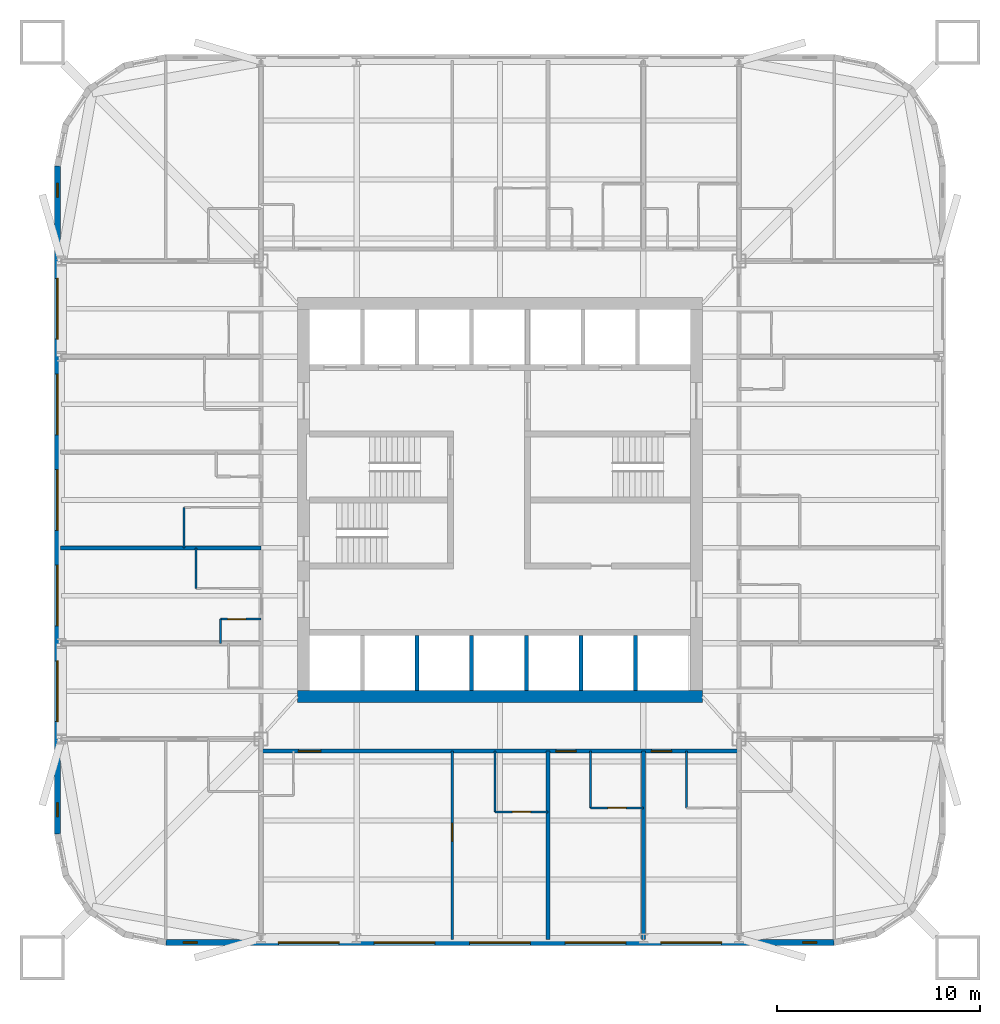
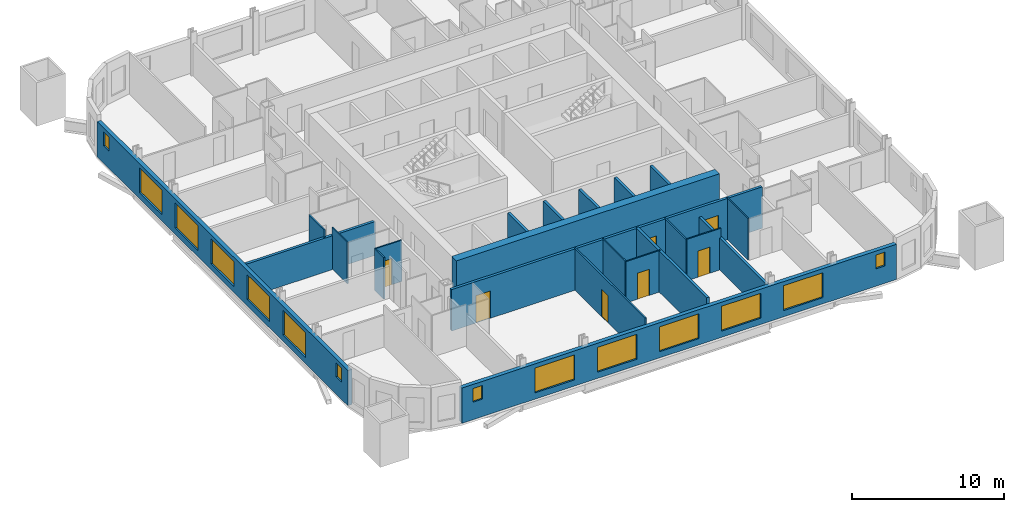
# One storey, part 3 of 9: 22 walls, 14 windows, 7 doors, 21 openings.
"""IFC4 building model written with IfcOpenShell, lengths in metres."""

from ifc_helpers import new_model, si_unit, direction, frame, frame_2d, origin, place, context, subcontext, project, spatial, rectangle, extrude, material, layer, layer_set, type_object, element, fill, save


model = new_model("IFC4")

# Units and contexts
model_context = context("Model", 3, precision=1e-05, world=origin(), true_north=direction((0.0, 1.0)))
body_context = subcontext(model_context, "Body", "Model", "MODEL_VIEW")
ifc_project = project(units=[si_unit("LENGTHUNIT", "METRE"), si_unit("AREAUNIT", "SQUARE_METRE"), si_unit("VOLUMEUNIT", "CUBIC_METRE"), si_unit("PLANEANGLEUNIT", "RADIAN"), si_unit("MASSUNIT", "GRAM", prefix="KILO")], contexts=[model_context])

# Site, building, storey
site_placement = place(None, origin())
site = spatial("IfcSite", under=ifc_project, at=site_placement, CompositionType="ELEMENT")
building_placement = place(site_placement, origin())
building = spatial("IfcBuilding", under=site, at=building_placement, Name="Turquesa Mirador Hotel Tower", CompositionType="ELEMENT")
storey_placement = place(building_placement, frame((0.0, 0.0, 35.5)))
storey = spatial("IfcBuildingStorey", under=building, at=storey_placement, Name="L08", CompositionType="ELEMENT", Elevation=35.5)

# Wall, opening, door
ifc_material_1 = material(Name="Gypsum board on steel studs", Category="steel")
ifc_layer_1 = layer(ifc_material_1, 0.10009765625)
ifc_layer_set_1 = layer_set([ifc_layer_1], Name="BATHROOM WALL 100")
wall_type_1 = type_object("IfcWallType", Name="BATHROOM WALL 100", PredefinedType="PARTITIONING", material=ifc_layer_set_1)
wall_1_placement = place(storey_placement, frame((59.47998046875, 29.800048828125, 0.0), z_axis=(0.0, 0.0, 1.0), x_axis=(1.0, 0.0, 0.0)))
wall_1 = element("IfcWall", 1, at=wall_1_placement, inside=storey, type_object=wall_type_1, Name="Partition L08 010", PredefinedType="PARTITIONING", context=body_context, shape_type="SweptSolid", body=[
    extrude(rectangle(XDim=2.60009765625, YDim=0.10009765625, at=frame_2d((1.300048828125, 0.0))), origin(), (0.0, 0.0, 1.0), 3.330078125),
])
opening_1_placement = place(wall_1_placement, frame((0.85009765625, 0.0, 0.0)))
opening_1 = element("IfcOpeningElement", 2, at=opening_1_placement, cuts=wall_1, Name="Opening D02", PredefinedType="OPENING", context=body_context, shape_type="SweptSolid", body=[
    extrude(rectangle(XDim=0.89990234375, YDim=2.10009765625, at=frame_2d((0.449951171875, 1.050048828125))), frame((0.0, 0.06005859375, 0.0), z_axis=(0.0, -1.0, 0.0), x_axis=(1.0, 0.0, 0.0)), (0.0, 0.0, 1.0), 0.1201171875),
])
ifc_material_2 = material(Name="Timber veneered door", Category="wood")
door_type_1 = type_object("IfcDoorType", Name="DOOR 900X2100 EN-SUITE", OperationType="SINGLE_SWING_RIGHT", PredefinedType="DOOR", material=ifc_material_2)
door_1_placement = place(opening_1_placement, origin())
door_1 = element("IfcDoor", 3, at=door_1_placement, inside=storey, type_object=door_type_1, Name="Door 0805B", OperationType="SINGLE_SWING_RIGHT", OverallHeight=2.10009765625, OverallWidth=0.89990234375, PredefinedType="DOOR", context=body_context, shape_type="SweptSolid", body=[
    extrude(rectangle(XDim=0.89990234375, YDim=2.10009765625, at=frame_2d((0.449951171875, 1.050048828125))), frame((0.0, 0.02490234375, 0.0), z_axis=(0.0, -1.0, 0.0), x_axis=(1.0, 0.0, 0.0)), (0.0, 0.0, 1.0), 0.050048828125),
])
fill(opening_1, door_1)

wall_2_placement = place(storey_placement, frame((54.760009765625, 29.60009765625, 0.0), z_axis=(0.0, 0.0, 1.0), x_axis=(1.0, 0.0, 0.0)))
wall_2 = element("IfcWall", 4, at=wall_2_placement, inside=storey, type_object=wall_type_1, Name="Partition L08 012", PredefinedType="PARTITIONING", context=body_context, shape_type="SweptSolid", body=[
    extrude(rectangle(XDim=2.60009765625, YDim=0.10009765625, at=frame_2d((1.300048828125, 0.0))), origin(), (0.0, 0.0, 1.0), 3.330078125),
])
opening_2_placement = place(wall_2_placement, frame((0.85009765625, 0.0, 0.0)))
opening_2 = element("IfcOpeningElement", 5, at=opening_2_placement, cuts=wall_2, Name="Opening D02", PredefinedType="OPENING", context=body_context, shape_type="SweptSolid", body=[
    extrude(rectangle(XDim=0.89990234375, YDim=2.10009765625, at=frame_2d((0.449951171875, 1.050048828125))), frame((0.0, 0.06005859375, 0.0), z_axis=(0.0, -1.0, 0.0), x_axis=(1.0, 0.0, 0.0)), (0.0, 0.0, 1.0), 0.1201171875),
])
door_2_placement = place(opening_2_placement, origin())
door_2 = element("IfcDoor", 6, at=door_2_placement, inside=storey, type_object=door_type_1, Name="Door 0804B", OperationType="SINGLE_SWING_RIGHT", OverallHeight=2.10009765625, OverallWidth=0.89990234375, PredefinedType="DOOR", context=body_context, shape_type="SweptSolid", body=[
    extrude(rectangle(XDim=0.89990234375, YDim=2.10009765625, at=frame_2d((0.449951171875, 1.050048828125))), frame((0.0, 0.02490234375, 0.0), z_axis=(0.0, -1.0, 0.0), x_axis=(1.0, 0.0, 0.0)), (0.0, 0.0, 1.0), 0.050048828125),
])
fill(opening_2, door_2)

wall_3_placement = place(storey_placement, frame((41.199951171875, 39.1201171875, 0.0), z_axis=(0.0, 0.0, 1.0), x_axis=(1.0, 0.0, 0.0)))
wall_3 = element("IfcWall", 7, at=wall_3_placement, inside=storey, type_object=wall_type_1, Name="Partition L08 017", PredefinedType="PARTITIONING", context=body_context, shape_type="SweptSolid", body=[
    extrude(rectangle(XDim=2.0, YDim=0.10009765625, at=frame_2d((1.0, 0.0))), origin(), (0.0, 0.0, 1.0), 3.330078125),
])
opening_3_placement = place(wall_3_placement, frame((0.35009765625, 0.0, 0.0)))
opening_3 = element("IfcOpeningElement", 8, at=opening_3_placement, cuts=wall_3, Name="Opening D06", PredefinedType="OPENING", context=body_context, shape_type="SweptSolid", body=[
    extrude(rectangle(XDim=0.89990234375, YDim=2.10009765625, at=frame_2d((0.449951171875, 1.050048828125))), frame((0.0, 0.06005859375, 0.0), z_axis=(0.0, -1.0, 0.0), x_axis=(1.0, 0.0, 0.0)), (0.0, 0.0, 1.0), 0.1201171875),
])
ifc_material_3 = material(Name="Laminate door", Category="wood")
door_type_2 = type_object("IfcDoorType", Name="DOOR 900X2100 WC", OperationType="SINGLE_SWING_LEFT", PredefinedType="DOOR", material=ifc_material_3)
door_3_placement = place(opening_3_placement, origin())
door_3 = element("IfcDoor", 9, at=door_3_placement, inside=storey, type_object=door_type_2, Name="Door 0809W", OperationType="SINGLE_SWING_LEFT", OverallHeight=2.10009765625, OverallWidth=0.89990234375, PredefinedType="DOOR", context=body_context, shape_type="SweptSolid", body=[
    extrude(rectangle(XDim=0.89990234375, YDim=2.10009765625, at=frame_2d((0.449951171875, 1.050048828125))), frame((0.0, 0.02490234375, 0.0), z_axis=(0.0, -1.0, 0.0), x_axis=(1.0, 0.0, 0.0)), (0.0, 0.0, 1.0), 0.050048828125),
])
fill(opening_3, door_3)

# Walls
wall_4_placement = place(storey_placement, frame((54.760009765625, 29.60009765625, 0.0), z_axis=(0.0, 0.0, 1.0), x_axis=(0.0, 1.0, 0.0)))
element("IfcWall", 10, at=wall_4_placement, inside=storey, type_object=wall_type_1, Name="Partition L08 044", PredefinedType="PARTITIONING", context=body_context, shape_type="SweptSolid", body=[
    extrude(rectangle(XDim=3.0, YDim=0.10009765625, at=frame_2d((1.5, 0.0))), origin(), (0.0, 0.0, 1.0), 3.330078125),
])
wall_5_placement = place(storey_placement, frame((41.199951171875, 37.919921875, 0.0), z_axis=(0.0, 0.0, 1.0), x_axis=(0.0, 1.0, 0.0)))
element("IfcWall", 11, at=wall_5_placement, inside=storey, type_object=wall_type_1, Name="Partition L08 055", PredefinedType="PARTITIONING", context=body_context, shape_type="SweptSolid", body=[
    extrude(rectangle(XDim=1.2001953125, YDim=0.10009765625, at=frame_2d((0.60009765625, 0.0))), origin(), (0.0, 0.0, 1.0), 3.330078125),
])
for number, where, z_axis, x_axis, name in (
    (12, (40.0, 40.639892578125, 0.0), (0.0, 0.0, 1.0), (0.0, 1.0, 0.0), "Partition L08 060"),
    (13, (39.39990234375, 42.639892578125, 0.0), (0.0, 0.0, 1.0), (0.0, 1.0, 0.0), "Partition L08 061"),
):
    element("IfcWall", number, at=place(storey_placement, frame(where, z_axis=z_axis, x_axis=x_axis)), inside=storey, type_object=wall_type_1, Name=name, PredefinedType="PARTITIONING", context=body_context, shape_type="SweptSolid", body=[
        extrude(rectangle(XDim=2.0, YDim=0.10009765625, at=frame_2d((1.0, 0.0))), origin(), (0.0, 0.0, 1.0), 3.330078125),
    ])
for number, where, z_axis, x_axis, name in (
    (14, (59.47998046875, 29.800048828125, 0.0), (0.0, 0.0, 1.0), (0.0, 1.0, 0.0), "Partition L08 081"),
    (15, (64.199951171875, 29.800048828125, 0.0), (0.0, 0.0, 1.0), (0.0, 1.0, 0.0), "Partition L08 086"),
):
    element("IfcWall", number, at=place(storey_placement, frame(where, z_axis=z_axis, x_axis=x_axis)), inside=storey, type_object=wall_type_1, Name=name, PredefinedType="PARTITIONING", context=body_context, shape_type="SweptSolid", body=[
        extrude(rectangle(XDim=2.800048828125, YDim=0.10009765625, at=frame_2d((1.39990234375, 0.0))), origin(), (0.0, 0.0, 1.0), 3.330078125),
    ])
ifc_material_4 = material(Name="Concrete C50/60", Category="concrete")
ifc_layer_2 = layer(ifc_material_4, 0.60009765625)
ifc_layer_set_2 = layer_set([ifc_layer_2], Name="CORE WALL 600")
wall_type_2 = type_object("IfcWallType", Name="CORE WALL 600", PredefinedType="SHEAR", material=ifc_layer_set_2)
wall_6_placement = place(storey_placement, frame((45.0, 35.300048828125, 0.0), z_axis=(0.0, 0.0, 1.0), x_axis=(1.0, 0.0, 0.0)))
element("IfcWall", 16, at=wall_6_placement, inside=storey, type_object=wall_type_2, Name="Core wall S", PredefinedType="SHEAR", context=body_context, shape_type="SweptSolid", body=[
    extrude(rectangle(XDim=20.0, YDim=0.60009765625, at=frame_2d((10.0, 0.0))), origin(), (0.0, 0.0, 1.0), 3.5),
])

# Wall, openings, doors
ifc_material_5 = material(Name="Fire-rated gypsum board on steel studs", Category="steel")
ifc_layer_3 = layer(ifc_material_5, 0.199951171875)
ifc_layer_set_3 = layer_set([ifc_layer_3], Name="CORRIDOR WALL 200")
wall_type_3 = type_object("IfcWallType", Name="CORRIDOR WALL 200", PredefinedType="PARTITIONING", material=ifc_layer_set_3)
wall_7_placement = place(storey_placement, frame((43.199951171875, 32.60009765625, 0.0), z_axis=(0.0, 0.0, 1.0), x_axis=(1.0, 0.0, 0.0)))
wall_7 = element("IfcWall", 17, at=wall_7_placement, inside=storey, type_object=wall_type_3, Name="Partition L08 006", PredefinedType="PARTITIONING", context=body_context, shape_type="SweptSolid", body=[
    extrude(rectangle(XDim=23.60009765625, YDim=0.199951171875, at=frame_2d((11.800048828125, 0.0))), origin(), (0.0, 0.0, 1.0), 3.330078125),
])
opening_4_placement = place(wall_7_placement, frame((1.85009765625, 0.0, 0.0)))
opening_4 = element("IfcOpeningElement", 18, at=opening_4_placement, cuts=wall_7, Name="Opening D15", PredefinedType="OPENING", context=body_context, shape_type="SweptSolid", body=[
    extrude(rectangle(XDim=1.10009765625, YDim=2.199951171875, at=frame_2d((0.550048828125, 1.10009765625))), frame((0.0, 0.10986328125, 0.0), z_axis=(0.0, -1.0, 0.0), x_axis=(1.0, 0.0, 0.0)), (0.0, 0.0, 1.0), 0.219970703125),
])
opening_5_placement = place(wall_7_placement, frame((14.56005859375, 0.0, 0.0)))
opening_5 = element("IfcOpeningElement", 19, at=opening_5_placement, cuts=wall_7, Name="Opening D01", PredefinedType="OPENING", context=body_context, shape_type="SweptSolid", body=[
    extrude(rectangle(XDim=1.0, YDim=2.199951171875, at=frame_2d((0.5, 1.10009765625))), frame((0.0, 0.10986328125, 0.0), z_axis=(0.0, -1.0, 0.0), x_axis=(1.0, 0.0, 0.0)), (0.0, 0.0, 1.0), 0.219970703125),
])
opening_6_placement = place(wall_7_placement, frame((19.280029296875, 0.0, 0.0)))
opening_6 = element("IfcOpeningElement", 20, at=opening_6_placement, cuts=wall_7, Name="Opening D01", PredefinedType="OPENING", context=body_context, shape_type="SweptSolid", body=[
    extrude(rectangle(XDim=1.0, YDim=2.199951171875, at=frame_2d((0.5, 1.10009765625))), frame((0.0, 0.10986328125, 0.0), z_axis=(0.0, -1.0, 0.0), x_axis=(1.0, 0.0, 0.0)), (0.0, 0.0, 1.0), 0.219970703125),
])
ifc_material_6 = material(Name="Timber veneered fire door", Category="wood")
door_type_3 = type_object("IfcDoorType", Name="DOOR 1000X2200 GUEST ENTRY", OperationType="SINGLE_SWING_LEFT", PredefinedType="DOOR", material=ifc_material_6)
door_4_placement = place(opening_5_placement, origin())
door_4 = element("IfcDoor", 21, at=door_4_placement, inside=storey, type_object=door_type_3, Name="Door 0805", OperationType="SINGLE_SWING_LEFT", OverallHeight=2.199951171875, OverallWidth=1.0, PredefinedType="DOOR", context=body_context, shape_type="SweptSolid", body=[
    extrude(rectangle(XDim=1.0, YDim=2.199951171875, at=frame_2d((0.5, 1.10009765625))), frame((0.0, 0.02490234375, 0.0), z_axis=(0.0, -1.0, 0.0), x_axis=(1.0, 0.0, 0.0)), (0.0, 0.0, 1.0), 0.050048828125),
])
fill(opening_5, door_4)
door_5_placement = place(opening_6_placement, origin())
door_5 = element("IfcDoor", 22, at=door_5_placement, inside=storey, type_object=door_type_3, Name="Door 0806", OperationType="SINGLE_SWING_LEFT", OverallHeight=2.199951171875, OverallWidth=1.0, PredefinedType="DOOR", context=body_context, shape_type="SweptSolid", body=[
    extrude(rectangle(XDim=1.0, YDim=2.199951171875, at=frame_2d((0.5, 1.10009765625))), frame((0.0, 0.02490234375, 0.0), z_axis=(0.0, -1.0, 0.0), x_axis=(1.0, 0.0, 0.0)), (0.0, 0.0, 1.0), 0.050048828125),
])
fill(opening_6, door_5)
ifc_material_7 = material(Name="Timber veneered fire door", Category="wood")
door_type_4 = type_object("IfcDoorType", Name="DOOR 1100X2200 SUITE ENTRY", OperationType="SINGLE_SWING_LEFT", PredefinedType="DOOR", material=ifc_material_7)
door_6_placement = place(opening_4_placement, origin())
door_6 = element("IfcDoor", 23, at=door_6_placement, inside=storey, type_object=door_type_4, Name="Door 0804", OperationType="SINGLE_SWING_LEFT", OverallHeight=2.199951171875, OverallWidth=1.10009765625, PredefinedType="DOOR", context=body_context, shape_type="SweptSolid", body=[
    extrude(rectangle(XDim=1.10009765625, YDim=2.199951171875, at=frame_2d((0.550048828125, 1.10009765625))), frame((0.0, 0.02490234375, 0.0), z_axis=(0.0, -1.0, 0.0), x_axis=(1.0, 0.0, 0.0)), (0.0, 0.0, 1.0), 0.050048828125),
])
fill(opening_4, door_6)

# Wall, openings, windows
ifc_material_8 = material(Name="Limestone cladding on concrete block", Category="masonry")
ifc_layer_4 = layer(ifc_material_8, 0.300048828125)
ifc_layer_set_4 = layer_set([ifc_layer_4], Name="FACADE WALL 300 STONE SCREEN")
wall_type_4 = type_object("IfcWallType", Name="FACADE WALL 300 STONE SCREEN", PredefinedType="SOLIDWALL", material=ifc_layer_set_4)
wall_8_placement = place(storey_placement, frame((33.14990234375, 61.5, 0.0), z_axis=(0.0, 0.0, 1.0), x_axis=(0.0, -1.0, 0.0)))
wall_8 = element("IfcWall", 24, at=wall_8_placement, inside=storey, type_object=wall_type_4, Name="Facade wall L08 14", PredefinedType="SOLIDWALL", context=body_context, shape_type="SweptSolid", body=[
    extrude(rectangle(XDim=33.0, YDim=0.300048828125, at=frame_2d((16.5, 0.0))), origin(), (0.0, 0.0, 1.0), 2.830078125),
])
opening_7_placement = place(wall_8_placement, frame((0.85009765625, 0.0, 1.39990234375)))
opening_7 = element("IfcOpeningElement", 25, at=opening_7_placement, cuts=wall_8, Name="Opening WN33", PredefinedType="OPENING", context=body_context, shape_type="SweptSolid", body=[
    extrude(rectangle(XDim=0.699951171875, YDim=1.10009765625, at=frame_2d((0.35009765625, 0.550048828125))), frame((0.0, 0.159912109375, 0.0), z_axis=(0.0, -1.0, 0.0), x_axis=(1.0, 0.0, 0.0)), (0.0, 0.0, 1.0), 0.320068359375),
])
opening_8_placement = place(wall_8_placement, frame((5.56005859375, 0.0, 0.5)))
opening_8 = element("IfcOpeningElement", 26, at=opening_8_placement, cuts=wall_8, Name="Opening WN1", PredefinedType="OPENING", context=body_context, shape_type="SweptSolid", body=[
    extrude(rectangle(XDim=3.0, YDim=2.0, at=frame_2d((1.5, 1.0))), frame((0.0, 0.159912109375, 0.0), z_axis=(0.0, -1.0, 0.0), x_axis=(1.0, 0.0, 0.0)), (0.0, 0.0, 1.0), 0.320068359375),
])
opening_9_placement = place(wall_8_placement, frame((10.280029296875, 0.0, 0.5)))
opening_9 = element("IfcOpeningElement", 27, at=opening_9_placement, cuts=wall_8, Name="Opening WN1", PredefinedType="OPENING", context=body_context, shape_type="SweptSolid", body=[
    extrude(rectangle(XDim=3.0, YDim=2.0, at=frame_2d((1.5, 1.0))), frame((0.0, 0.159912109375, 0.0), z_axis=(0.0, -1.0, 0.0), x_axis=(1.0, 0.0, 0.0)), (0.0, 0.0, 1.0), 0.320068359375),
])
opening_10_placement = place(wall_8_placement, frame((15.0, 0.0, 0.5)))
opening_10 = element("IfcOpeningElement", 28, at=opening_10_placement, cuts=wall_8, Name="Opening WN1", PredefinedType="OPENING", context=body_context, shape_type="SweptSolid", body=[
    extrude(rectangle(XDim=3.0, YDim=2.0, at=frame_2d((1.5, 1.0))), frame((0.0, 0.159912109375, 0.0), z_axis=(0.0, -1.0, 0.0), x_axis=(1.0, 0.0, 0.0)), (0.0, 0.0, 1.0), 0.320068359375),
])
opening_11_placement = place(wall_8_placement, frame((19.719970703125, 0.0, 0.5)))
opening_11 = element("IfcOpeningElement", 29, at=opening_11_placement, cuts=wall_8, Name="Opening WN1", PredefinedType="OPENING", context=body_context, shape_type="SweptSolid", body=[
    extrude(rectangle(XDim=3.0, YDim=2.0, at=frame_2d((1.5, 1.0))), frame((0.0, 0.159912109375, 0.0), z_axis=(0.0, -1.0, 0.0), x_axis=(1.0, 0.0, 0.0)), (0.0, 0.0, 1.0), 0.320068359375),
])
opening_12_placement = place(wall_8_placement, frame((24.43994140625, 0.0, 0.5)))
opening_12 = element("IfcOpeningElement", 30, at=opening_12_placement, cuts=wall_8, Name="Opening WN1", PredefinedType="OPENING", context=body_context, shape_type="SweptSolid", body=[
    extrude(rectangle(XDim=3.0, YDim=2.0, at=frame_2d((1.5, 1.0))), frame((0.0, 0.159912109375, 0.0), z_axis=(0.0, -1.0, 0.0), x_axis=(1.0, 0.0, 0.0)), (0.0, 0.0, 1.0), 0.320068359375),
])
opening_13_placement = place(wall_8_placement, frame((31.449951171875, 0.0, 1.39990234375)))
opening_13 = element("IfcOpeningElement", 31, at=opening_13_placement, cuts=wall_8, Name="Opening WN33", PredefinedType="OPENING", context=body_context, shape_type="SweptSolid", body=[
    extrude(rectangle(XDim=0.699951171875, YDim=1.10009765625, at=frame_2d((0.35009765625, 0.550048828125))), frame((0.0, 0.159912109375, 0.0), z_axis=(0.0, -1.0, 0.0), x_axis=(1.0, 0.0, 0.0)), (0.0, 0.0, 1.0), 0.320068359375),
])
ifc_material_9 = material(Name="Ceramic-fritted laminated glass", Category="glass")
window_type_1 = type_object("IfcWindowType", Name="FRITTED WINDOW 3000X2000", PartitioningType="DOUBLE_PANEL_HORIZONTAL", PredefinedType="WINDOW", material=ifc_material_9)
window_1_placement = place(opening_8_placement, origin())
window_1 = element("IfcWindow", 32, at=window_1_placement, inside=storey, type_object=window_type_1, Name="Window L08", OverallHeight=2.0, OverallWidth=3.0, PartitioningType="SINGLE_PANEL", PredefinedType="WINDOW", context=body_context, shape_type="SweptSolid", body=[
    extrude(rectangle(XDim=3.0, YDim=2.0, at=frame_2d((1.5, 1.0))), frame((0.0, 0.030029296875, 0.0), z_axis=(0.0, -1.0, 0.0), x_axis=(1.0, 0.0, 0.0)), (0.0, 0.0, 1.0), 0.06005859375),
])
fill(opening_8, window_1)
window_2_placement = place(opening_9_placement, origin())
window_2 = element("IfcWindow", 33, at=window_2_placement, inside=storey, type_object=window_type_1, Name="Window L08", OverallHeight=2.0, OverallWidth=3.0, PartitioningType="SINGLE_PANEL", PredefinedType="WINDOW", context=body_context, shape_type="SweptSolid", body=[
    extrude(rectangle(XDim=3.0, YDim=2.0, at=frame_2d((1.5, 1.0))), frame((0.0, 0.030029296875, 0.0), z_axis=(0.0, -1.0, 0.0), x_axis=(1.0, 0.0, 0.0)), (0.0, 0.0, 1.0), 0.06005859375),
])
fill(opening_9, window_2)
window_3_placement = place(opening_10_placement, origin())
window_3 = element("IfcWindow", 34, at=window_3_placement, inside=storey, type_object=window_type_1, Name="Window L08", OverallHeight=2.0, OverallWidth=3.0, PartitioningType="SINGLE_PANEL", PredefinedType="WINDOW", context=body_context, shape_type="SweptSolid", body=[
    extrude(rectangle(XDim=3.0, YDim=2.0, at=frame_2d((1.5, 1.0))), frame((0.0, 0.030029296875, 0.0), z_axis=(0.0, -1.0, 0.0), x_axis=(1.0, 0.0, 0.0)), (0.0, 0.0, 1.0), 0.06005859375),
])
fill(opening_10, window_3)
window_4_placement = place(opening_11_placement, origin())
window_4 = element("IfcWindow", 35, at=window_4_placement, inside=storey, type_object=window_type_1, Name="Window L08", OverallHeight=2.0, OverallWidth=3.0, PartitioningType="SINGLE_PANEL", PredefinedType="WINDOW", context=body_context, shape_type="SweptSolid", body=[
    extrude(rectangle(XDim=3.0, YDim=2.0, at=frame_2d((1.5, 1.0))), frame((0.0, 0.030029296875, 0.0), z_axis=(0.0, -1.0, 0.0), x_axis=(1.0, 0.0, 0.0)), (0.0, 0.0, 1.0), 0.06005859375),
])
fill(opening_11, window_4)
window_5_placement = place(opening_12_placement, origin())
window_5 = element("IfcWindow", 36, at=window_5_placement, inside=storey, type_object=window_type_1, Name="Window L08", OverallHeight=2.0, OverallWidth=3.0, PartitioningType="SINGLE_PANEL", PredefinedType="WINDOW", context=body_context, shape_type="SweptSolid", body=[
    extrude(rectangle(XDim=3.0, YDim=2.0, at=frame_2d((1.5, 1.0))), frame((0.0, 0.030029296875, 0.0), z_axis=(0.0, -1.0, 0.0), x_axis=(1.0, 0.0, 0.0)), (0.0, 0.0, 1.0), 0.06005859375),
])
fill(opening_12, window_5)
ifc_material_10 = material(Name="Ceramic-fritted laminated glass", Category="glass")
window_type_2 = type_object("IfcWindowType", Name="FRITTED WINDOW 700X1100", PartitioningType="DOUBLE_PANEL_HORIZONTAL", PredefinedType="WINDOW", material=ifc_material_10)
window_6_placement = place(opening_7_placement, origin())
window_6 = element("IfcWindow", 37, at=window_6_placement, inside=storey, type_object=window_type_2, Name="Window L08", OverallHeight=1.10009765625, OverallWidth=0.699951171875, PartitioningType="SINGLE_PANEL", PredefinedType="WINDOW", context=body_context, shape_type="SweptSolid", body=[
    extrude(rectangle(XDim=0.699951171875, YDim=1.10009765625, at=frame_2d((0.35009765625, 0.550048828125))), frame((0.0, 0.030029296875, 0.0), z_axis=(0.0, -1.0, 0.0), x_axis=(1.0, 0.0, 0.0)), (0.0, 0.0, 1.0), 0.06005859375),
])
fill(opening_7, window_6)
window_7_placement = place(opening_13_placement, origin())
window_7 = element("IfcWindow", 38, at=window_7_placement, inside=storey, type_object=window_type_2, Name="Window L08", OverallHeight=1.10009765625, OverallWidth=0.699951171875, PartitioningType="SINGLE_PANEL", PredefinedType="WINDOW", context=body_context, shape_type="SweptSolid", body=[
    extrude(rectangle(XDim=0.699951171875, YDim=1.10009765625, at=frame_2d((0.35009765625, 0.550048828125))), frame((0.0, 0.030029296875, 0.0), z_axis=(0.0, -1.0, 0.0), x_axis=(1.0, 0.0, 0.0)), (0.0, 0.0, 1.0), 0.06005859375),
])
fill(opening_13, window_7)

wall_9_placement = place(storey_placement, frame((38.5, 23.14990234375, 0.0), z_axis=(0.0, 0.0, 1.0), x_axis=(1.0, 0.0, 0.0)))
wall_9 = element("IfcWall", 39, at=wall_9_placement, inside=storey, type_object=wall_type_4, Name="Facade wall L08 19", PredefinedType="SOLIDWALL", context=body_context, shape_type="SweptSolid", body=[
    extrude(rectangle(XDim=33.0, YDim=0.300048828125, at=frame_2d((16.5, 0.0))), origin(), (0.0, 0.0, 1.0), 2.830078125),
])
opening_14_placement = place(wall_9_placement, frame((0.85009765625, 0.0, 1.39990234375)))
opening_14 = element("IfcOpeningElement", 40, at=opening_14_placement, cuts=wall_9, Name="Opening WN33", PredefinedType="OPENING", context=body_context, shape_type="SweptSolid", body=[
    extrude(rectangle(XDim=0.699951171875, YDim=1.10009765625, at=frame_2d((0.35009765625, 0.550048828125))), frame((0.0, 0.159912109375, 0.0), z_axis=(0.0, -1.0, 0.0), x_axis=(1.0, 0.0, 0.0)), (0.0, 0.0, 1.0), 0.320068359375),
])
opening_15_placement = place(wall_9_placement, frame((5.56005859375, 0.0, 0.5)))
opening_15 = element("IfcOpeningElement", 41, at=opening_15_placement, cuts=wall_9, Name="Opening WN1", PredefinedType="OPENING", context=body_context, shape_type="SweptSolid", body=[
    extrude(rectangle(XDim=3.0, YDim=2.0, at=frame_2d((1.5, 1.0))), frame((0.0, 0.159912109375, 0.0), z_axis=(0.0, -1.0, 0.0), x_axis=(1.0, 0.0, 0.0)), (0.0, 0.0, 1.0), 0.320068359375),
])
opening_16_placement = place(wall_9_placement, frame((10.280029296875, 0.0, 0.5)))
opening_16 = element("IfcOpeningElement", 42, at=opening_16_placement, cuts=wall_9, Name="Opening WN1", PredefinedType="OPENING", context=body_context, shape_type="SweptSolid", body=[
    extrude(rectangle(XDim=3.0, YDim=2.0, at=frame_2d((1.5, 1.0))), frame((0.0, 0.159912109375, 0.0), z_axis=(0.0, -1.0, 0.0), x_axis=(1.0, 0.0, 0.0)), (0.0, 0.0, 1.0), 0.320068359375),
])
opening_17_placement = place(wall_9_placement, frame((15.0, 0.0, 0.5)))
opening_17 = element("IfcOpeningElement", 43, at=opening_17_placement, cuts=wall_9, Name="Opening WN1", PredefinedType="OPENING", context=body_context, shape_type="SweptSolid", body=[
    extrude(rectangle(XDim=3.0, YDim=2.0, at=frame_2d((1.5, 1.0))), frame((0.0, 0.159912109375, 0.0), z_axis=(0.0, -1.0, 0.0), x_axis=(1.0, 0.0, 0.0)), (0.0, 0.0, 1.0), 0.320068359375),
])
opening_18_placement = place(wall_9_placement, frame((19.719970703125, 0.0, 0.5)))
opening_18 = element("IfcOpeningElement", 44, at=opening_18_placement, cuts=wall_9, Name="Opening WN1", PredefinedType="OPENING", context=body_context, shape_type="SweptSolid", body=[
    extrude(rectangle(XDim=3.0, YDim=2.0, at=frame_2d((1.5, 1.0))), frame((0.0, 0.159912109375, 0.0), z_axis=(0.0, -1.0, 0.0), x_axis=(1.0, 0.0, 0.0)), (0.0, 0.0, 1.0), 0.320068359375),
])
opening_19_placement = place(wall_9_placement, frame((24.43994140625, 0.0, 0.5)))
opening_19 = element("IfcOpeningElement", 45, at=opening_19_placement, cuts=wall_9, Name="Opening WN1", PredefinedType="OPENING", context=body_context, shape_type="SweptSolid", body=[
    extrude(rectangle(XDim=3.0, YDim=2.0, at=frame_2d((1.5, 1.0))), frame((0.0, 0.159912109375, 0.0), z_axis=(0.0, -1.0, 0.0), x_axis=(1.0, 0.0, 0.0)), (0.0, 0.0, 1.0), 0.320068359375),
])
opening_20_placement = place(wall_9_placement, frame((31.449951171875, 0.0, 1.39990234375)))
opening_20 = element("IfcOpeningElement", 46, at=opening_20_placement, cuts=wall_9, Name="Opening WN33", PredefinedType="OPENING", context=body_context, shape_type="SweptSolid", body=[
    extrude(rectangle(XDim=0.699951171875, YDim=1.10009765625, at=frame_2d((0.35009765625, 0.550048828125))), frame((0.0, 0.159912109375, 0.0), z_axis=(0.0, -1.0, 0.0), x_axis=(1.0, 0.0, 0.0)), (0.0, 0.0, 1.0), 0.320068359375),
])
window_8_placement = place(opening_15_placement, origin())
window_8 = element("IfcWindow", 47, at=window_8_placement, inside=storey, type_object=window_type_1, Name="Window L08", OverallHeight=2.0, OverallWidth=3.0, PartitioningType="SINGLE_PANEL", PredefinedType="WINDOW", context=body_context, shape_type="SweptSolid", body=[
    extrude(rectangle(XDim=3.0, YDim=2.0, at=frame_2d((1.5, 1.0))), frame((0.0, 0.030029296875, 0.0), z_axis=(0.0, -1.0, 0.0), x_axis=(1.0, 0.0, 0.0)), (0.0, 0.0, 1.0), 0.06005859375),
])
fill(opening_15, window_8)
window_9_placement = place(opening_16_placement, origin())
window_9 = element("IfcWindow", 48, at=window_9_placement, inside=storey, type_object=window_type_1, Name="Window L08", OverallHeight=2.0, OverallWidth=3.0, PartitioningType="SINGLE_PANEL", PredefinedType="WINDOW", context=body_context, shape_type="SweptSolid", body=[
    extrude(rectangle(XDim=3.0, YDim=2.0, at=frame_2d((1.5, 1.0))), frame((0.0, 0.030029296875, 0.0), z_axis=(0.0, -1.0, 0.0), x_axis=(1.0, 0.0, 0.0)), (0.0, 0.0, 1.0), 0.06005859375),
])
fill(opening_16, window_9)
window_10_placement = place(opening_17_placement, origin())
window_10 = element("IfcWindow", 49, at=window_10_placement, inside=storey, type_object=window_type_1, Name="Window L08", OverallHeight=2.0, OverallWidth=3.0, PartitioningType="SINGLE_PANEL", PredefinedType="WINDOW", context=body_context, shape_type="SweptSolid", body=[
    extrude(rectangle(XDim=3.0, YDim=2.0, at=frame_2d((1.5, 1.0))), frame((0.0, 0.030029296875, 0.0), z_axis=(0.0, -1.0, 0.0), x_axis=(1.0, 0.0, 0.0)), (0.0, 0.0, 1.0), 0.06005859375),
])
fill(opening_17, window_10)
window_11_placement = place(opening_18_placement, origin())
window_11 = element("IfcWindow", 50, at=window_11_placement, inside=storey, type_object=window_type_1, Name="Window L08", OverallHeight=2.0, OverallWidth=3.0, PartitioningType="SINGLE_PANEL", PredefinedType="WINDOW", context=body_context, shape_type="SweptSolid", body=[
    extrude(rectangle(XDim=3.0, YDim=2.0, at=frame_2d((1.5, 1.0))), frame((0.0, 0.030029296875, 0.0), z_axis=(0.0, -1.0, 0.0), x_axis=(1.0, 0.0, 0.0)), (0.0, 0.0, 1.0), 0.06005859375),
])
fill(opening_18, window_11)
window_12_placement = place(opening_19_placement, origin())
window_12 = element("IfcWindow", 51, at=window_12_placement, inside=storey, type_object=window_type_1, Name="Window L08", OverallHeight=2.0, OverallWidth=3.0, PartitioningType="SINGLE_PANEL", PredefinedType="WINDOW", context=body_context, shape_type="SweptSolid", body=[
    extrude(rectangle(XDim=3.0, YDim=2.0, at=frame_2d((1.5, 1.0))), frame((0.0, 0.030029296875, 0.0), z_axis=(0.0, -1.0, 0.0), x_axis=(1.0, 0.0, 0.0)), (0.0, 0.0, 1.0), 0.06005859375),
])
fill(opening_19, window_12)
window_13_placement = place(opening_14_placement, origin())
window_13 = element("IfcWindow", 52, at=window_13_placement, inside=storey, type_object=window_type_2, Name="Window L08", OverallHeight=1.10009765625, OverallWidth=0.699951171875, PartitioningType="SINGLE_PANEL", PredefinedType="WINDOW", context=body_context, shape_type="SweptSolid", body=[
    extrude(rectangle(XDim=0.699951171875, YDim=1.10009765625, at=frame_2d((0.35009765625, 0.550048828125))), frame((0.0, 0.030029296875, 0.0), z_axis=(0.0, -1.0, 0.0), x_axis=(1.0, 0.0, 0.0)), (0.0, 0.0, 1.0), 0.06005859375),
])
fill(opening_14, window_13)
window_14_placement = place(opening_20_placement, origin())
window_14 = element("IfcWindow", 53, at=window_14_placement, inside=storey, type_object=window_type_2, Name="Window L08", OverallHeight=1.10009765625, OverallWidth=0.699951171875, PartitioningType="SINGLE_PANEL", PredefinedType="WINDOW", context=body_context, shape_type="SweptSolid", body=[
    extrude(rectangle(XDim=0.699951171875, YDim=1.10009765625, at=frame_2d((0.35009765625, 0.550048828125))), frame((0.0, 0.030029296875, 0.0), z_axis=(0.0, -1.0, 0.0), x_axis=(1.0, 0.0, 0.0)), (0.0, 0.0, 1.0), 0.06005859375),
])
fill(opening_20, window_14)

# Walls
ifc_material_11 = material(Name="Fire-rated gypsum shaft wall on steel studs", Category="steel")
ifc_layer_5 = layer(ifc_material_11, 0.199951171875)
ifc_layer_set_5 = layer_set([ifc_layer_5], Name="LIFT SHAFT DIVIDER 200")
wall_type_5 = type_object("IfcWallType", Name="LIFT SHAFT DIVIDER 200", PredefinedType="PARTITIONING", material=ifc_layer_set_5)
for number, where, z_axis, x_axis, name in (
    (54, (50.89990234375, 35.60009765625, 0.0), (0.0, 0.0, 1.0), (0.0, 1.0, 0.0), "Lift shaft divider"),
    (55, (53.60009765625, 35.60009765625, 0.0), (0.0, 0.0, 1.0), (0.0, 1.0, 0.0), "Lift shaft divider"),
    (56, (56.300048828125, 35.60009765625, 0.0), (0.0, 0.0, 1.0), (0.0, 1.0, 0.0), "Lift shaft divider"),
    (57, (59.0, 35.60009765625, 0.0), (0.0, 0.0, 1.0), (0.0, 1.0, 0.0), "Lift shaft divider"),
    (58, (61.699951171875, 35.60009765625, 0.0), (0.0, 0.0, 1.0), (0.0, 1.0, 0.0), "Lift shaft divider"),
):
    element("IfcWall", number, at=place(storey_placement, frame(where, z_axis=z_axis, x_axis=x_axis)), inside=storey, type_object=wall_type_5, Name=name, PredefinedType="PARTITIONING", context=body_context, shape_type="SweptSolid", body=[
        extrude(rectangle(XDim=2.699951171875, YDim=0.199951171875, at=frame_2d((1.35009765625, 0.0))), origin(), (0.0, 0.0, 1.0), 3.330078125),
    ])
ifc_material_12 = material(Name="Fire-rated gypsum board on steel studs", Category="steel")
ifc_layer_6 = layer(ifc_material_12, 0.199951171875)
ifc_layer_set_6 = layer_set([ifc_layer_6], Name="PARTY WALL 200")
wall_type_6 = type_object("IfcWallType", Name="PARTY WALL 200", PredefinedType="PARTITIONING", material=ifc_layer_set_6)
wall_10_placement = place(storey_placement, frame((33.300048828125, 42.639892578125, 0.0), z_axis=(0.0, 0.0, 1.0), x_axis=(1.0, 0.0, 0.0)))
element("IfcWall", 59, at=wall_10_placement, inside=storey, type_object=wall_type_6, Name="Partition L08 013", PredefinedType="PARTITIONING", context=body_context, shape_type="SweptSolid", body=[
    extrude(rectangle(XDim=9.89990234375, YDim=0.199951171875, at=frame_2d((4.949951171875, 0.0))), origin(), (0.0, 0.0, 1.0), 2.722900390625),
])
wall_11_placement = place(storey_placement, frame((57.360107421875, 23.300048828125, 0.0), z_axis=(0.0, 0.0, 1.0), x_axis=(0.0, 1.0, 0.0)))
element("IfcWall", 60, at=wall_11_placement, inside=storey, type_object=wall_type_6, Name="Partition L08 078", PredefinedType="PARTITIONING", context=body_context, shape_type="SweptSolid", body=[
    extrude(rectangle(XDim=9.300048828125, YDim=0.199951171875, at=frame_2d((4.64990234375, 0.0))), origin(), (0.0, 0.0, 1.0), 3.330078125),
])
wall_12_placement = place(storey_placement, frame((62.080078125, 23.300048828125, 0.0), z_axis=(0.0, 0.0, 1.0), x_axis=(0.0, 1.0, 0.0)))
element("IfcWall", 61, at=wall_12_placement, inside=storey, type_object=wall_type_6, Name="Partition L08 083", PredefinedType="PARTITIONING", context=body_context, shape_type="SweptSolid", body=[
    extrude(rectangle(XDim=9.300048828125, YDim=0.199951171875, at=frame_2d((4.64990234375, 0.0))), origin(), (0.0, 0.0, 1.0), 2.572998046875),
])

# Wall, opening, door
ifc_material_13 = material(Name="Acoustic gypsum board on steel studs", Category="steel")
ifc_layer_7 = layer(ifc_material_13, 0.125)
ifc_layer_set_7 = layer_set([ifc_layer_7], Name="SUITE PARTITION 125")
wall_type_7 = type_object("IfcWallType", Name="SUITE PARTITION 125", PredefinedType="PARTITIONING", material=ifc_layer_set_7)
wall_13_placement = place(storey_placement, frame((52.639892578125, 23.300048828125, 0.0), z_axis=(0.0, 0.0, 1.0), x_axis=(0.0, 1.0, 0.0)))
wall_13 = element("IfcWall", 62, at=wall_13_placement, inside=storey, type_object=wall_type_7, Name="Partition L08 064", PredefinedType="PARTITIONING", context=body_context, shape_type="SweptSolid", body=[
    extrude(rectangle(XDim=9.300048828125, YDim=0.125, at=frame_2d((4.64990234375, 0.0))), origin(), (0.0, 0.0, 1.0), 3.330078125),
])
opening_21_placement = place(wall_13_placement, frame((4.85009765625, 0.0, 0.0)))
opening_21 = element("IfcOpeningElement", 63, at=opening_21_placement, cuts=wall_13, Name="Opening D17", PredefinedType="OPENING", context=body_context, shape_type="SweptSolid", body=[
    extrude(rectangle(XDim=0.89990234375, YDim=2.199951171875, at=frame_2d((0.449951171875, 1.10009765625))), frame((0.0, 0.072509765625, 0.0), z_axis=(0.0, -1.0, 0.0), x_axis=(1.0, 0.0, 0.0)), (0.0, 0.0, 1.0), 0.14501953125),
])
ifc_material_14 = material(Name="Timber veneered door", Category="wood")
door_type_5 = type_object("IfcDoorType", Name="DOOR 900X2200 SUITE INTERNAL", OperationType="SINGLE_SWING_LEFT", PredefinedType="DOOR", material=ifc_material_14)
door_7_placement = place(opening_21_placement, origin())
door_7 = element("IfcDoor", 64, at=door_7_placement, inside=storey, type_object=door_type_5, Name="Door 0804R", OperationType="SINGLE_SWING_LEFT", OverallHeight=2.199951171875, OverallWidth=0.89990234375, PredefinedType="DOOR", context=body_context, shape_type="SweptSolid", body=[
    extrude(rectangle(XDim=0.89990234375, YDim=2.199951171875, at=frame_2d((0.449951171875, 1.10009765625))), frame((0.0, 0.02490234375, 0.0), z_axis=(0.0, -1.0, 0.0), x_axis=(1.0, 0.0, 0.0)), (0.0, 0.0, 1.0), 0.050048828125),
])
fill(opening_21, door_7)

save(model, "model.ifc")
